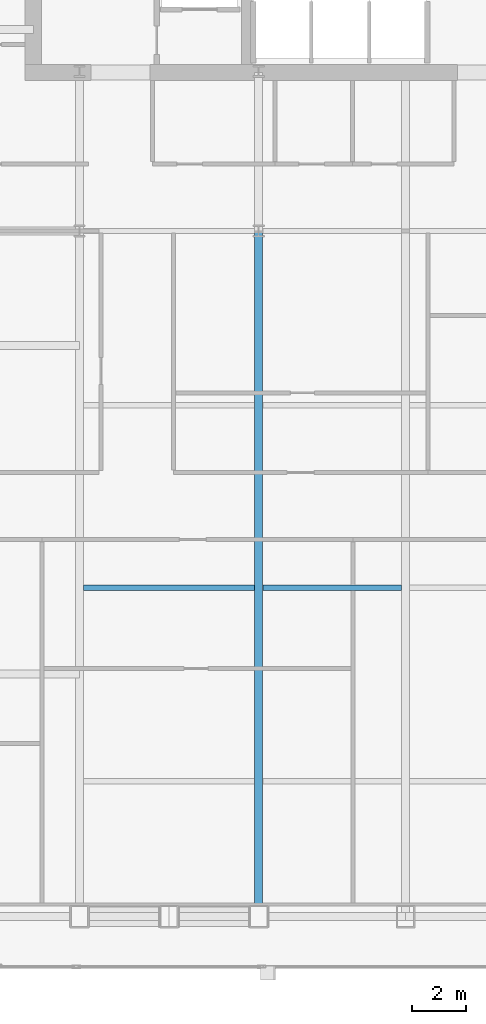
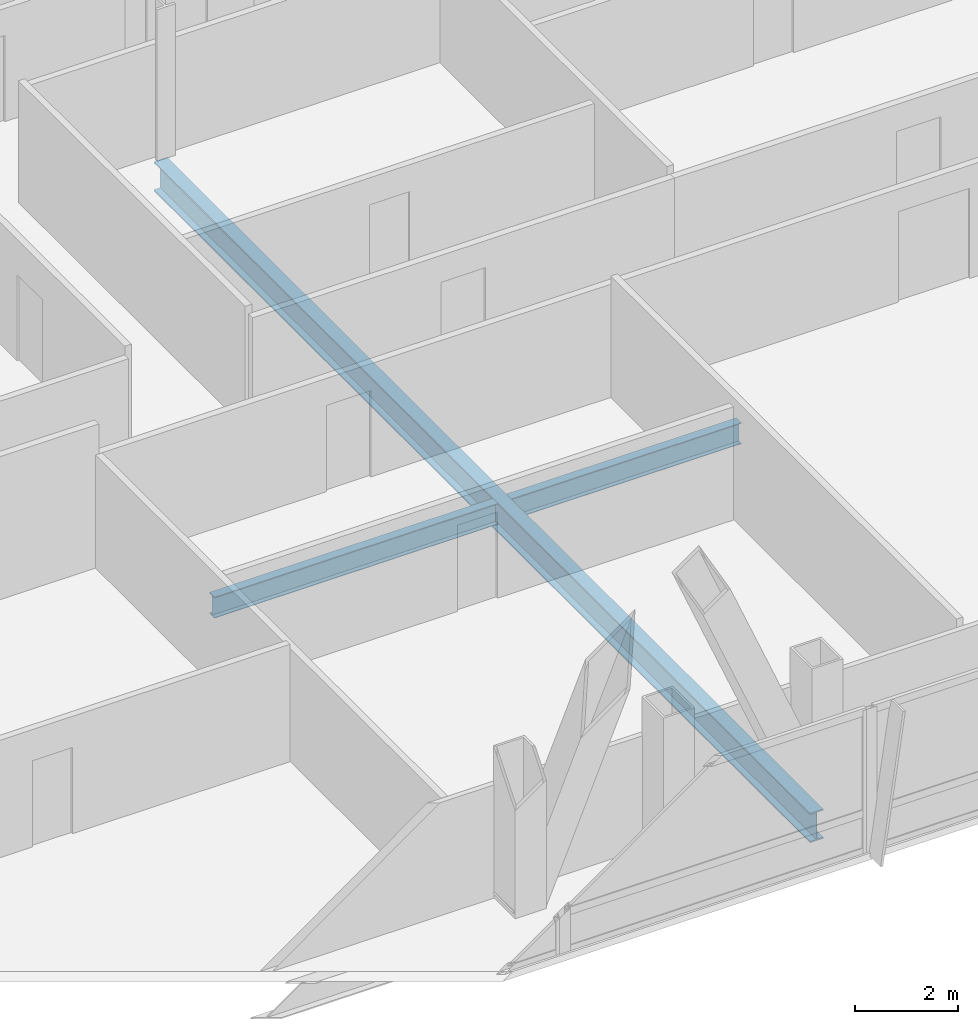
# One storey, part 9 of 29: 3 beams.
"""IFC4 building model written with IfcOpenShell, lengths in metres."""

from ifc_helpers import new_model, si_unit, direction, frame, origin, origin_2d, place, context, subcontext, project, spatial, i_section, extrude, material, material_profile, profile_set, type_object, element, save


model = new_model("IFC4")

# Units and contexts
model_context = context("Model", 3, precision=1e-05, world=origin(), true_north=direction((0.0, 1.0)))
body_context = subcontext(model_context, "Body", "Model", "MODEL_VIEW")
ifc_project = project(units=[si_unit("LENGTHUNIT", "METRE"), si_unit("AREAUNIT", "SQUARE_METRE"), si_unit("VOLUMEUNIT", "CUBIC_METRE"), si_unit("PLANEANGLEUNIT", "RADIAN"), si_unit("MASSUNIT", "GRAM", prefix="KILO")], contexts=[model_context])

# Site, building, storey
site_placement = place(None, origin())
site = spatial("IfcSite", under=ifc_project, at=site_placement, CompositionType="ELEMENT")
building_placement = place(site_placement, origin())
building = spatial("IfcBuilding", under=site, at=building_placement, Name="Khoronbel Lancet Exchange", CompositionType="ELEMENT")
storey_placement = place(building_placement, frame((0.0, 0.0, 180.60009765625)))
storey = spatial("IfcBuildingStorey", under=building, at=storey_placement, Name="L45", CompositionType="ELEMENT", Elevation=180.60009765625)

# Beams
ifc_material = material(Name="Steel S355", Category="steel")
ifc_material_profile_1 = material_profile(ifc_material, i_section(OverallWidth=0.300048828125, OverallDepth=0.699951171875, WebThickness=0.01708984375, FlangeThickness=0.031982421875, at=origin_2d()), Name="HEB 700")
ifc_profile_set_1 = profile_set([ifc_material_profile_1], Name="Steel S355")
beam_type_1 = type_object("IfcBeamType", Name="BM-BG3", PredefinedType="BEAM", material=ifc_profile_set_1)
beam_1_placement = place(storey_placement, frame((24.89990234375, 10.14990234375, -0.510009765625), z_axis=(0.0, 1.0, 0.0), x_axis=(-1.0, 0.0, 0.0)))
element("IfcBeam", 1, at=beam_1_placement, inside=storey, type_object=beam_type_1, Name="Level L45 south primary girder GS2", PredefinedType="BEAM", context=body_context, shape_type="SweptSolid", body=[
    extrude(i_section(OverallWidth=0.300048828125, OverallDepth=0.699951171875, WebThickness=0.01708984375, FlangeThickness=0.031982421875, at=origin_2d()), origin(), (0.0, 0.0, 1.0), 25.550048828125),
])
ifc_material_profile_2 = material_profile(ifc_material, i_section(OverallWidth=0.199951171875, OverallDepth=0.5, WebThickness=0.01025390625, FlangeThickness=0.01611328125, at=origin_2d()), Name="IPE 500")
ifc_profile_set_2 = profile_set([ifc_material_profile_2], Name="Steel S355")
beam_type_2 = type_object("IfcBeamType", Name="BM-BJ3", PredefinedType="JOIST", material=ifc_profile_set_2)
beam_2_placement = place(storey_placement, frame((18.375, 22.39990234375, -0.41015625), z_axis=(1.0, 0.0, 0.0), x_axis=(0.0, 1.0, 0.0)))
element("IfcBeam", 2, at=beam_2_placement, inside=storey, type_object=beam_type_2, Name="Level L45 secondary composite joist J06", PredefinedType="JOIST", context=body_context, shape_type="SweptSolid", body=[
    extrude(i_section(OverallWidth=0.199951171875, OverallDepth=0.5, WebThickness=0.01025390625, FlangeThickness=0.01611328125, at=origin_2d()), origin(), (0.0, 0.0, 1.0), 6.375),
])
beam_3_placement = place(storey_placement, frame((25.050048828125, 22.39990234375, -0.41015625), z_axis=(1.0, 0.0, 0.0), x_axis=(0.0, 1.0, 0.0)))
element("IfcBeam", 3, at=beam_3_placement, inside=storey, type_object=beam_type_2, Name="Level L45 secondary composite joist J07", PredefinedType="JOIST", context=body_context, shape_type="SweptSolid", body=[
    extrude(i_section(OverallWidth=0.199951171875, OverallDepth=0.5, WebThickness=0.01025390625, FlangeThickness=0.01611328125, at=origin_2d()), origin(), (0.0, 0.0, 1.0), 5.175048828125),
])

save(model, "model.ifc")
